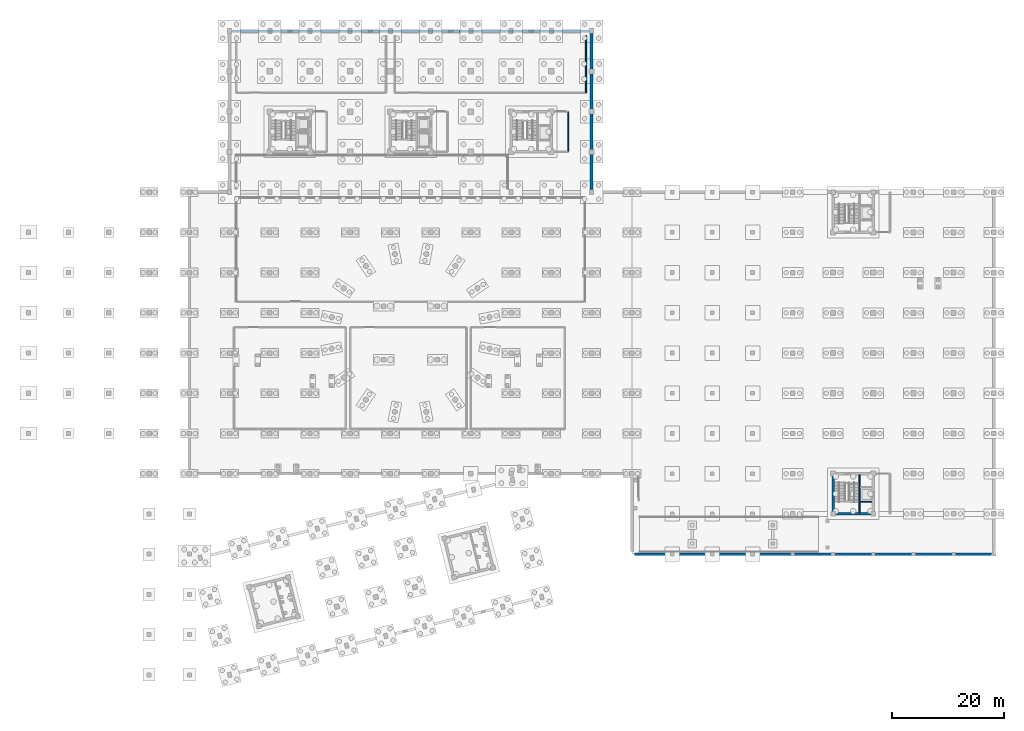
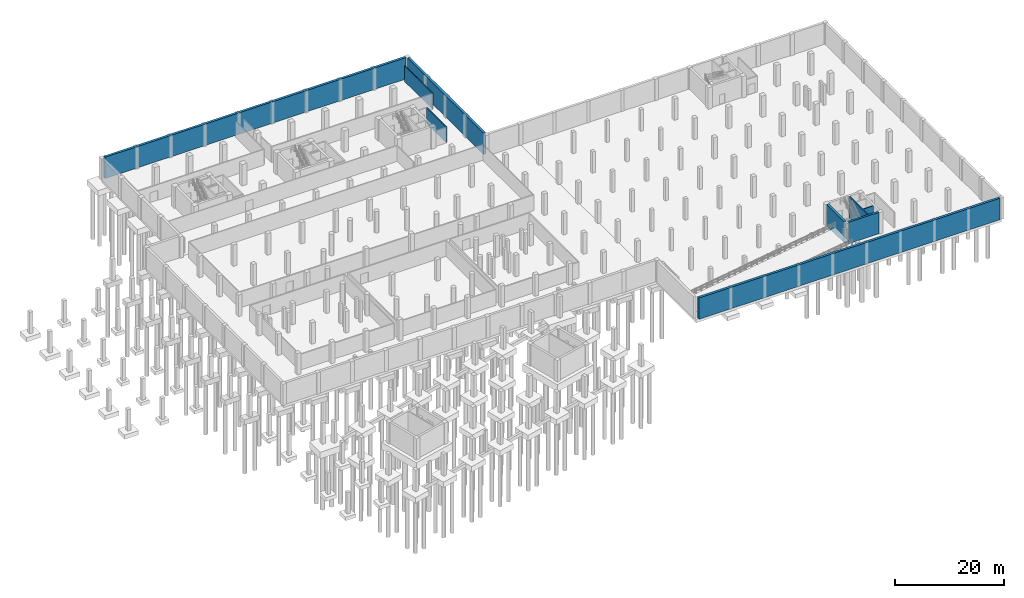
# One storey, part 13 of 19: 9 walls.
"""IFC4 building model written with IfcOpenShell, lengths in metres."""

from ifc_helpers import new_model, si_unit, direction, frame, frame_2d, origin, place, context, subcontext, project, spatial, rectangle, extrude, material, layer, layer_set, type_object, element, save


model = new_model("IFC4")

# Units and contexts
model_context = context("Model", 3, precision=1e-05, world=origin(), true_north=direction((0.0, 1.0)))
body_context = subcontext(model_context, "Body", "Model", "MODEL_VIEW")
ifc_project = project(units=[si_unit("LENGTHUNIT", "METRE"), si_unit("AREAUNIT", "SQUARE_METRE"), si_unit("VOLUMEUNIT", "CUBIC_METRE"), si_unit("PLANEANGLEUNIT", "RADIAN"), si_unit("MASSUNIT", "GRAM", prefix="KILO")], contexts=[model_context])

# Site, building, storey
site_placement = place(None, origin())
site = spatial("IfcSite", under=ifc_project, at=site_placement, CompositionType="ELEMENT")
building_placement = place(site_placement, origin())
building = spatial("IfcBuilding", under=site, at=building_placement, Name="Qiaolan Assembly House", CompositionType="ELEMENT")
storey_placement = place(building_placement, frame((0.0, 0.0, -4.800048828125)))
storey = spatial("IfcBuildingStorey", under=building, at=storey_placement, Name="B1", CompositionType="ELEMENT", Elevation=-4.800048828125)

# Walls
ifc_material_1 = material(Name="Concrete C45/55", Category="concrete")
ifc_layer_1 = layer(ifc_material_1, 0.5)
ifc_layer_set_1 = layer_set([ifc_layer_1], Name="Concrete C45/55")
wall_type_1 = type_object("IfcWallType", Name="WAL-BSMT-500", PredefinedType="STANDARD", material=ifc_layer_set_1)
wall_1_placement = place(storey_placement, frame((36.449951171875, 115.199951171875, 0.0), z_axis=(0.0, 0.0, 1.0), x_axis=(1.0, 0.0, 0.0)))
element("IfcWall", 1, at=wall_1_placement, inside=storey, type_object=wall_type_1, Name="BW-500 basement retaining wall NW-N", PredefinedType="STANDARD", context=body_context, shape_type="SweptSolid", body=[
    extrude(rectangle(XDim=63.900146484375, YDim=0.5, at=frame_2d((31.9501953125, 0.0))), origin(), (0.0, 0.0, 1.0), 4.800048828125),
])
wall_2_placement = place(storey_placement, frame((100.800048828125, 114.75, 0.0), z_axis=(0.0, 0.0, 1.0), x_axis=(0.0, -1.0, 0.0)))
element("IfcWall", 2, at=wall_2_placement, inside=storey, type_object=wall_type_1, Name="BW-500 basement retaining wall NW-E", PredefinedType="STANDARD", context=body_context, shape_type="SweptSolid", body=[
    extrude(rectangle(XDim=27.89990234375, YDim=0.5, at=frame_2d((13.949951171875, 0.0))), origin(), (0.0, 0.0, 1.0), 4.800048828125),
])
wall_3_placement = place(storey_placement, frame((172.35009765625, 21.60009765625, 0.0), z_axis=(0.0, 0.0, 1.0), x_axis=(-1.0, 0.0, 0.0)))
element("IfcWall", 3, at=wall_3_placement, inside=storey, type_object=wall_type_1, Name="BW-500 basement retaining wall LIB-S", PredefinedType="STANDARD", context=body_context, shape_type="SweptSolid", body=[
    extrude(rectangle(XDim=63.900146484375, YDim=0.5, at=frame_2d((31.9501953125, 0.0))), origin(), (0.0, 0.0, 1.0), 4.800048828125),
])
ifc_material_2 = material(Name="Concrete C50/60", Category="concrete")
ifc_layer_2 = layer(ifc_material_2, 0.449951171875)
ifc_layer_set_2 = layer_set([ifc_layer_2], Name="Concrete C50/60")
wall_type_2 = type_object("IfcWallType", Name="WAL-CORE-450", PredefinedType="SHEAR", material=ifc_layer_set_2)
for number, where, z_axis, x_axis, name in (
    (4, (144.35009765625, 28.800048828125, 0.0), (0.0, 0.0, 1.0), (1.0, 0.0, 0.0), "CW-450 shear core wall CORE-E S B1"),
    (5, (144.0, 35.64990234375, 0.0), (0.0, 0.0, 1.0), (0.0, -1.0, 0.0), "CW-450 shear core wall CORE-E W B1"),
):
    element("IfcWall", number, at=place(storey_placement, frame(where, z_axis=z_axis, x_axis=x_axis)), inside=storey, type_object=wall_type_2, Name=name, PredefinedType="SHEAR", context=body_context, shape_type="SweptSolid", body=[
        extrude(rectangle(XDim=6.5, YDim=0.449951171875, at=frame_2d((3.25, 0.0))), origin(), (0.0, 0.0, 1.0), 4.800048828125),
    ])
ifc_material_3 = material(Name="Concrete C35/45", Category="concrete")
ifc_layer_3 = layer(ifc_material_3, 0.199951171875)
ifc_layer_set_3 = layer_set([ifc_layer_3], Name="Concrete C35/45")
wall_type_3 = type_object("IfcWallType", Name="WAL-LOBBY-200", PredefinedType="PARTITIONING", material=ifc_layer_set_3)
wall_4_placement = place(storey_placement, frame((96.60009765625, 93.60009765625, 0.0), z_axis=(0.0, 0.0, 1.0), x_axis=(0.0, 1.0, 0.0)))
element("IfcWall", 6, at=wall_4_placement, inside=storey, type_object=wall_type_3, Name="Firefighting lift lobby east wall CORE-G B1", PredefinedType="PARTITIONING", context=body_context, shape_type="SweptSolid", body=[
    extrude(rectangle(XDim=7.199951171875, YDim=0.199951171875, at=frame_2d((3.60009765625, 0.0))), origin(), (0.0, 0.0, 1.0), 3.52001953125),
])
wall_5_placement = place(storey_placement, frame((99.800048828125, 104.199951171875, 0.0), z_axis=(0.0, 0.0, 1.0), x_axis=(0.0, 1.0, 0.0)))
element("IfcWall", 7, at=wall_5_placement, inside=storey, type_object=wall_type_3, Name="Compactus Deep Archive & Conservation Store east wall", PredefinedType="PARTITIONING", context=body_context, shape_type="SweptSolid", body=[
    extrude(rectangle(XDim=10.199951171875, YDim=0.199951171875, at=frame_2d((5.10009765625, 0.0))), origin(), (0.0, 0.0, 1.0), 3.52001953125),
])
ifc_layer_4 = layer(ifc_material_3, 0.18505859375)
ifc_layer_set_4 = layer_set([ifc_layer_4], Name="Concrete C35/45")
wall_type_4 = type_object("IfcWallType", Name="WAL-SHAFT-200", PredefinedType="PARTITIONING", material=ifc_layer_set_4)
wall_6_placement = place(storey_placement, frame((148.85009765625, 31.0, 0.0), z_axis=(0.0, 0.0, 1.0), x_axis=(1.0, 0.0, 0.0)))
element("IfcWall", 8, at=wall_6_placement, inside=storey, type_object=wall_type_4, Name="SW-200 lift shaft wall LF-09 B1 DIVS", PredefinedType="PARTITIONING", context=body_context, shape_type="SweptSolid", body=[
    extrude(rectangle(XDim=2.099853515625, YDim=0.18505859375, at=frame_2d((1.0498046875, 0.0))), origin(), (0.0, 0.0, 1.0), 4.800048828125),
])
ifc_material_4 = material(Name="Concrete C40/50", Category="concrete")
ifc_layer_5 = layer(ifc_material_4, 0.22509765625)
ifc_layer_set_5 = layer_set([ifc_layer_5], Name="Concrete C40/50")
wall_type_5 = type_object("IfcWallType", Name="WAL-STAIR-DIV-225", PredefinedType="SHEAR", material=ifc_layer_set_5)
wall_7_placement = place(storey_placement, frame((148.719970703125, 29.02001953125, 0.0), z_axis=(0.0, 0.0, 1.0), x_axis=(0.0, 1.0, 0.0)))
element("IfcWall", 9, at=wall_7_placement, inside=storey, type_object=wall_type_5, Name="SDW-225 stairwell structural spine wall CORE-E B1", PredefinedType="SHEAR", context=body_context, shape_type="SweptSolid", body=[
    extrude(rectangle(XDim=6.760009765625, YDim=0.22509765625, at=frame_2d((3.3798828125, 0.0))), origin(), (0.0, 0.0, 1.0), 4.800048828125),
])

save(model, "model.ifc")
